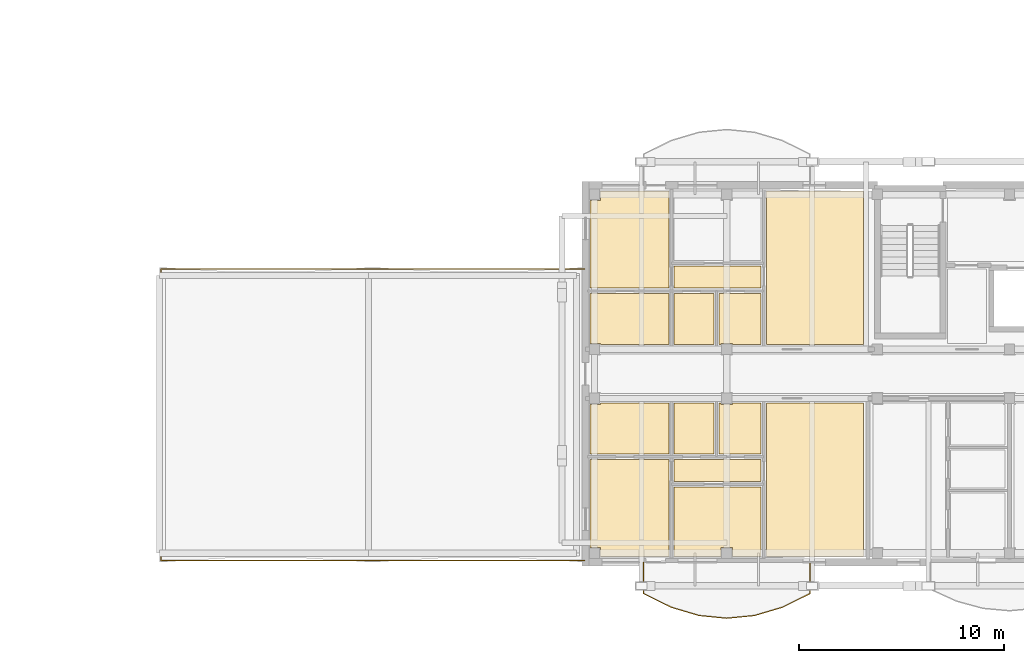
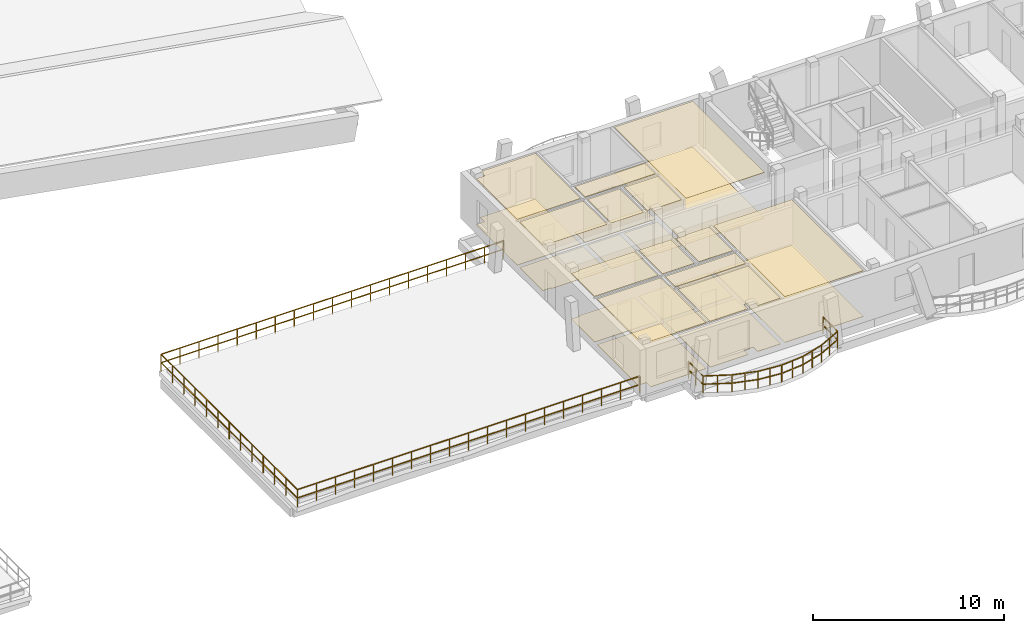
# One storey, part 92 of 109: 26 coverings, 2 railings.
"""IFC4 building model written with IfcOpenShell, lengths in metres."""

from ifc_helpers import new_model, si_unit, direction, frame, origin, origin_2d, place, context, subcontext, project, spatial, polyline, rectangle, outline, extrude, material, layer, layer_set, type_object, element, save


model = new_model("IFC4")

# Units and contexts
model_context = context("Model", 3, precision=1e-05, world=origin(), true_north=direction((0.0, 1.0)))
body_context = subcontext(model_context, "Body", "Model", "MODEL_VIEW")
ifc_project = project(units=[si_unit("LENGTHUNIT", "METRE"), si_unit("AREAUNIT", "SQUARE_METRE"), si_unit("VOLUMEUNIT", "CUBIC_METRE"), si_unit("PLANEANGLEUNIT", "RADIAN"), si_unit("MASSUNIT", "GRAM", prefix="KILO")], contexts=[model_context])

# Site, building, storey
site_placement = place(None, origin())
site = spatial("IfcSite", under=ifc_project, at=site_placement, CompositionType="ELEMENT")
building_placement = place(site_placement, origin())
building = spatial("IfcBuilding", under=site, at=building_placement, Name="Zavelmont Quarter", CompositionType="ELEMENT")
storey_placement = place(building_placement, frame((0.0, 0.0, 8.0)))
storey = spatial("IfcBuildingStorey", under=building, at=storey_placement, Name="L02", CompositionType="ELEMENT", Elevation=8.0)

# Coverings
ifc_material_1 = material(Name="Perforated acoustic gypsum board")
ifc_layer_1 = layer(ifc_material_1, 0.02490234375)
ifc_layer_set_1 = layer_set([ifc_layer_1], Name="Perforated acoustic gypsum board")
covering_type_1 = type_object("IfcCoveringType", Name="CV-CL01", PredefinedType="CEILING", material=ifc_layer_set_1)
covering_1_placement = place(storey_placement, frame((0.0, 0.0, 2.9150390625)))
element("IfcCovering", 1, at=covering_1_placement, inside=storey, type_object=covering_type_1, Name="L02 Double Bedroom acoustic ceiling", PredefinedType="CEILING", context=body_context, shape_type="SweptSolid", body=[
    extrude(outline(polyline([(113.030029296875, 5.02001953125), (116.8701171875, 5.02001953125), (116.8701171875, 0.280029296875), (113.530029296875, 0.280029296875), (113.530029296875, 0.72998046875), (113.030029296875, 0.72998046875), (113.030029296875, 5.02001953125)])), origin(), (0.0, 0.0, 1.0), 0.02490234375),
])
covering_2_placement = place(storey_placement, frame((0.0, 0.0, 2.9150390625)))
element("IfcCovering", 2, at=covering_2_placement, inside=storey, type_object=covering_type_1, Name="L02 Kitchen acoustic ceiling", PredefinedType="CEILING", context=body_context, shape_type="SweptSolid", body=[
    extrude(outline(polyline([(119.330078125, 7.77001953125), (119.409912109375, 7.77001953125), (119.409912109375, 7.7099609375), (119.989990234375, 7.7099609375), (119.989990234375, 7.77001953125), (121.3701171875, 7.77001953125), (121.3701171875, 5.280029296875), (119.330078125, 5.280029296875), (119.330078125, 7.77001953125)])), origin(), (0.0, 0.0, 1.0), 0.02490234375),
])
covering_3_placement = place(storey_placement, frame((0.0, 0.0, 2.9150390625)))
element("IfcCovering", 3, at=covering_3_placement, inside=storey, type_object=covering_type_1, Name="L02 Master Bedroom acoustic ceiling", PredefinedType="CEILING", context=body_context, shape_type="SweptSolid", body=[
    extrude(outline(polyline([(117.1298828125, 3.669921875), (121.3701171875, 3.669921875), (121.3701171875, 0.280029296875), (119.989990234375, 0.280029296875), (119.989990234375, 0.72998046875), (119.409912109375, 0.72998046875), (119.409912109375, 0.280029296875), (117.1298828125, 0.280029296875), (117.1298828125, 3.669921875)])), origin(), (0.0, 0.0, 1.0), 0.02490234375),
])
covering_4_placement = place(storey_placement, frame((0.0, 0.0, 2.9150390625)))
element("IfcCovering", 4, at=covering_4_placement, inside=storey, type_object=covering_type_1, Name="L02 Living Dining acoustic ceiling", PredefinedType="CEILING", context=body_context, shape_type="SweptSolid", body=[
    extrude(outline(polyline([(121.6298828125, 7.77001953125), (126.3701171875, 7.77001953125), (126.3701171875, 0.280029296875), (121.6298828125, 0.280029296875), (121.6298828125, 7.77001953125)])), origin(), (0.0, 0.0, 1.0), 0.02490234375),
])
covering_5_placement = place(storey_placement, frame((0.0, 0.0, 2.9150390625)))
element("IfcCovering", 5, at=covering_5_placement, inside=storey, type_object=covering_type_1, Name="L02 Double Bedroom acoustic ceiling", PredefinedType="CEILING", context=body_context, shape_type="SweptSolid", body=[
    extrude(outline(polyline([(113.030029296875, 17.669921875), (113.530029296875, 17.669921875), (113.530029296875, 18.1201171875), (116.8701171875, 18.1201171875), (116.8701171875, 13.3798828125), (113.030029296875, 13.3798828125), (113.030029296875, 17.669921875)])), origin(), (0.0, 0.0, 1.0), 0.02490234375),
])
covering_6_placement = place(storey_placement, frame((0.0, 0.0, 2.9150390625)))
element("IfcCovering", 6, at=covering_6_placement, inside=storey, type_object=covering_type_1, Name="L02 Kitchen acoustic ceiling", PredefinedType="CEILING", context=body_context, shape_type="SweptSolid", body=[
    extrude(outline(polyline([(119.330078125, 13.1201171875), (121.3701171875, 13.1201171875), (121.3701171875, 10.6298828125), (119.989990234375, 10.6298828125), (119.989990234375, 10.68994140625), (119.409912109375, 10.68994140625), (119.409912109375, 10.6298828125), (119.330078125, 10.6298828125), (119.330078125, 13.1201171875)])), origin(), (0.0, 0.0, 1.0), 0.02490234375),
])
covering_7_placement = place(storey_placement, frame((0.0, 0.0, 2.9150390625)))
element("IfcCovering", 7, at=covering_7_placement, inside=storey, type_object=covering_type_1, Name="L02 Living Dining acoustic ceiling", PredefinedType="CEILING", context=body_context, shape_type="SweptSolid", body=[
    extrude(outline(polyline([(121.6298828125, 18.1201171875), (126.3701171875, 18.1201171875), (126.3701171875, 10.6298828125), (121.6298828125, 10.6298828125), (121.6298828125, 18.1201171875)])), origin(), (0.0, 0.0, 1.0), 0.02490234375),
])
ifc_material_2 = material(Name="Slatted European ash acoustic baffle ceiling")
ifc_layer_2 = layer(ifc_material_2, 0.0400390625)
ifc_layer_set_2 = layer_set([ifc_layer_2], Name="Slatted European ash acoustic baffle ceiling")
covering_type_2 = type_object("IfcCoveringType", Name="CV-CL02", PredefinedType="CEILING", material=ifc_layer_set_2)
covering_8_placement = place(storey_placement, frame((0.0, 0.0, 2.89990234375)))
element("IfcCovering", 8, at=covering_8_placement, inside=storey, type_object=covering_type_2, Name="L02 Apartment Hall acoustic ceiling", PredefinedType="CEILING", context=body_context, shape_type="SweptSolid", body=[
    extrude(outline(polyline([(117.1298828125, 5.02001953125), (121.3701171875, 5.02001953125), (121.3701171875, 3.929931640625), (117.1298828125, 3.929931640625), (117.1298828125, 5.02001953125)])), origin(), (0.0, 0.0, 1.0), 0.0400390625),
])
covering_9_placement = place(storey_placement, frame((0.0, 0.0, 2.89990234375)))
element("IfcCovering", 9, at=covering_9_placement, inside=storey, type_object=covering_type_2, Name="L02 Apartment Hall acoustic ceiling", PredefinedType="CEILING", context=body_context, shape_type="SweptSolid", body=[
    extrude(outline(polyline([(117.1298828125, 14.469970703125), (121.3701171875, 14.469970703125), (121.3701171875, 13.3798828125), (117.1298828125, 13.3798828125), (117.1298828125, 14.469970703125)])), origin(), (0.0, 0.0, 1.0), 0.0400390625),
])
ifc_material_3 = material(Name="Moisture-resistant painted gypsum ceiling")
ifc_layer_3 = layer(ifc_material_3, 0.02001953125)
ifc_layer_set_3 = layer_set([ifc_layer_3], Name="Moisture-resistant painted gypsum ceiling")
covering_type_3 = type_object("IfcCoveringType", Name="CV-CL04", PredefinedType="CEILING", material=ifc_layer_set_3)
covering_10_placement = place(storey_placement, frame((0.0, 0.0, 2.919921875)))
element("IfcCovering", 10, at=covering_10_placement, inside=storey, type_object=covering_type_3, Name="L02 Bathroom acoustic ceiling", PredefinedType="CEILING", context=body_context, shape_type="SweptSolid", body=[
    extrude(outline(polyline([(113.030029296875, 7.7099609375), (113.530029296875, 7.7099609375), (113.530029296875, 7.77001953125), (116.8701171875, 7.77001953125), (116.8701171875, 5.280029296875), (113.030029296875, 5.280029296875), (113.030029296875, 7.7099609375)])), origin(), (0.0, 0.0, 1.0), 0.02001953125),
])
covering_11_placement = place(storey_placement, frame((0.0, 0.0, 2.919921875)))
element("IfcCovering", 11, at=covering_11_placement, inside=storey, type_object=covering_type_3, Name="L02 Bathroom acoustic ceiling", PredefinedType="CEILING", context=body_context, shape_type="SweptSolid", body=[
    extrude(outline(polyline([(117.1298828125, 7.77001953125), (119.070068359375, 7.77001953125), (119.070068359375, 5.280029296875), (117.1298828125, 5.280029296875), (117.1298828125, 7.77001953125)])), origin(), (0.0, 0.0, 1.0), 0.02001953125),
])
covering_12_placement = place(storey_placement, frame((0.0, 0.0, 2.919921875)))
element("IfcCovering", 12, at=covering_12_placement, inside=storey, type_object=covering_type_3, Name="L02 Bathroom acoustic ceiling", PredefinedType="CEILING", context=body_context, shape_type="SweptSolid", body=[
    extrude(outline(polyline([(113.030029296875, 13.1201171875), (116.8701171875, 13.1201171875), (116.8701171875, 10.6298828125), (113.530029296875, 10.6298828125), (113.530029296875, 10.68994140625), (113.030029296875, 10.68994140625), (113.030029296875, 13.1201171875)])), origin(), (0.0, 0.0, 1.0), 0.02001953125),
])
covering_13_placement = place(storey_placement, frame((0.0, 0.0, 2.919921875)))
element("IfcCovering", 13, at=covering_13_placement, inside=storey, type_object=covering_type_3, Name="L02 Bathroom acoustic ceiling", PredefinedType="CEILING", context=body_context, shape_type="SweptSolid", body=[
    extrude(outline(polyline([(117.1298828125, 13.1201171875), (119.070068359375, 13.1201171875), (119.070068359375, 10.6298828125), (117.1298828125, 10.6298828125), (117.1298828125, 13.1201171875)])), origin(), (0.0, 0.0, 1.0), 0.02001953125),
])
ifc_material_4 = material(Name="Engineered European oak parquet")
ifc_layer_4 = layer(ifc_material_4, 0.02197265625)
ifc_layer_set_4 = layer_set([ifc_layer_4], Name="Engineered European oak parquet")
covering_type_4 = type_object("IfcCoveringType", Name="CV-FL01", PredefinedType="FLOORING", material=ifc_layer_set_4)
covering_14_placement = place(storey_placement, origin())
element("IfcCovering", 14, at=covering_14_placement, inside=storey, type_object=covering_type_4, Name="L02 Double Bedroom floor finish", PredefinedType="FLOORING", context=body_context, shape_type="SweptSolid", body=[
    extrude(outline(polyline([(113.030029296875, 5.02001953125), (116.8701171875, 5.02001953125), (116.8701171875, 0.280029296875), (113.530029296875, 0.280029296875), (113.530029296875, 0.72998046875), (113.030029296875, 0.72998046875), (113.030029296875, 5.02001953125)])), origin(), (0.0, 0.0, 1.0), 0.02197265625),
])
covering_15_placement = place(storey_placement, origin())
element("IfcCovering", 15, at=covering_15_placement, inside=storey, type_object=covering_type_4, Name="L02 Kitchen floor finish", PredefinedType="FLOORING", context=body_context, shape_type="SweptSolid", body=[
    extrude(outline(polyline([(119.330078125, 7.77001953125), (119.409912109375, 7.77001953125), (119.409912109375, 7.7099609375), (119.989990234375, 7.7099609375), (119.989990234375, 7.77001953125), (121.3701171875, 7.77001953125), (121.3701171875, 5.280029296875), (119.330078125, 5.280029296875), (119.330078125, 7.77001953125)])), origin(), (0.0, 0.0, 1.0), 0.02197265625),
])
covering_16_placement = place(storey_placement, origin())
element("IfcCovering", 16, at=covering_16_placement, inside=storey, type_object=covering_type_4, Name="L02 Master Bedroom floor finish", PredefinedType="FLOORING", context=body_context, shape_type="SweptSolid", body=[
    extrude(outline(polyline([(117.1298828125, 3.669921875), (121.3701171875, 3.669921875), (121.3701171875, 0.280029296875), (119.989990234375, 0.280029296875), (119.989990234375, 0.72998046875), (119.409912109375, 0.72998046875), (119.409912109375, 0.280029296875), (117.1298828125, 0.280029296875), (117.1298828125, 3.669921875)])), origin(), (0.0, 0.0, 1.0), 0.02197265625),
])
covering_17_placement = place(storey_placement, origin())
element("IfcCovering", 17, at=covering_17_placement, inside=storey, type_object=covering_type_4, Name="L02 Living Dining floor finish", PredefinedType="FLOORING", context=body_context, shape_type="SweptSolid", body=[
    extrude(outline(polyline([(121.6298828125, 7.77001953125), (126.3701171875, 7.77001953125), (126.3701171875, 0.280029296875), (121.6298828125, 0.280029296875), (121.6298828125, 7.77001953125)])), origin(), (0.0, 0.0, 1.0), 0.02197265625),
])
covering_18_placement = place(storey_placement, origin())
element("IfcCovering", 18, at=covering_18_placement, inside=storey, type_object=covering_type_4, Name="L02 Double Bedroom floor finish", PredefinedType="FLOORING", context=body_context, shape_type="SweptSolid", body=[
    extrude(outline(polyline([(113.030029296875, 17.669921875), (113.530029296875, 17.669921875), (113.530029296875, 18.1201171875), (116.8701171875, 18.1201171875), (116.8701171875, 13.3798828125), (113.030029296875, 13.3798828125), (113.030029296875, 17.669921875)])), origin(), (0.0, 0.0, 1.0), 0.02197265625),
])
covering_19_placement = place(storey_placement, origin())
element("IfcCovering", 19, at=covering_19_placement, inside=storey, type_object=covering_type_4, Name="L02 Kitchen floor finish", PredefinedType="FLOORING", context=body_context, shape_type="SweptSolid", body=[
    extrude(outline(polyline([(119.330078125, 13.1201171875), (121.3701171875, 13.1201171875), (121.3701171875, 10.6298828125), (119.989990234375, 10.6298828125), (119.989990234375, 10.68994140625), (119.409912109375, 10.68994140625), (119.409912109375, 10.6298828125), (119.330078125, 10.6298828125), (119.330078125, 13.1201171875)])), origin(), (0.0, 0.0, 1.0), 0.02197265625),
])
covering_20_placement = place(storey_placement, origin())
element("IfcCovering", 20, at=covering_20_placement, inside=storey, type_object=covering_type_4, Name="L02 Living Dining floor finish", PredefinedType="FLOORING", context=body_context, shape_type="SweptSolid", body=[
    extrude(outline(polyline([(121.6298828125, 18.1201171875), (126.3701171875, 18.1201171875), (126.3701171875, 10.6298828125), (121.6298828125, 10.6298828125), (121.6298828125, 18.1201171875)])), origin(), (0.0, 0.0, 1.0), 0.02197265625),
])
ifc_material_5 = material(Name="Honed Belgian bluestone tile", Category="masonry")
ifc_layer_5 = layer(ifc_material_5, 0.030029296875)
ifc_layer_set_5 = layer_set([ifc_layer_5], Name="Honed Belgian bluestone tile")
covering_type_5 = type_object("IfcCoveringType", Name="CV-FL02", PredefinedType="FLOORING", material=ifc_layer_set_5)
covering_21_placement = place(storey_placement, origin())
element("IfcCovering", 21, at=covering_21_placement, inside=storey, type_object=covering_type_5, Name="L02 Apartment Hall floor finish", PredefinedType="FLOORING", context=body_context, shape_type="SweptSolid", body=[
    extrude(outline(polyline([(117.1298828125, 5.02001953125), (121.3701171875, 5.02001953125), (121.3701171875, 3.929931640625), (117.1298828125, 3.929931640625), (117.1298828125, 5.02001953125)])), origin(), (0.0, 0.0, 1.0), 0.030029296875),
])
covering_22_placement = place(storey_placement, origin())
element("IfcCovering", 22, at=covering_22_placement, inside=storey, type_object=covering_type_5, Name="L02 Apartment Hall floor finish", PredefinedType="FLOORING", context=body_context, shape_type="SweptSolid", body=[
    extrude(outline(polyline([(117.1298828125, 14.469970703125), (121.3701171875, 14.469970703125), (121.3701171875, 13.3798828125), (117.1298828125, 13.3798828125), (117.1298828125, 14.469970703125)])), origin(), (0.0, 0.0, 1.0), 0.030029296875),
])
ifc_material_6 = material(Name="Slip-resistant porcelain tile")
ifc_layer_6 = layer(ifc_material_6, 0.02587890625)
ifc_layer_set_6 = layer_set([ifc_layer_6], Name="Slip-resistant porcelain tile")
covering_type_6 = type_object("IfcCoveringType", Name="CV-FL04", PredefinedType="FLOORING", material=ifc_layer_set_6)
covering_23_placement = place(storey_placement, origin())
element("IfcCovering", 23, at=covering_23_placement, inside=storey, type_object=covering_type_6, Name="L02 Bathroom floor finish", PredefinedType="FLOORING", context=body_context, shape_type="SweptSolid", body=[
    extrude(outline(polyline([(113.030029296875, 7.7099609375), (113.530029296875, 7.7099609375), (113.530029296875, 7.77001953125), (116.8701171875, 7.77001953125), (116.8701171875, 5.280029296875), (113.030029296875, 5.280029296875), (113.030029296875, 7.7099609375)])), origin(), (0.0, 0.0, 1.0), 0.02587890625),
])
covering_24_placement = place(storey_placement, origin())
element("IfcCovering", 24, at=covering_24_placement, inside=storey, type_object=covering_type_6, Name="L02 Bathroom floor finish", PredefinedType="FLOORING", context=body_context, shape_type="SweptSolid", body=[
    extrude(outline(polyline([(117.1298828125, 7.77001953125), (119.070068359375, 7.77001953125), (119.070068359375, 5.280029296875), (117.1298828125, 5.280029296875), (117.1298828125, 7.77001953125)])), origin(), (0.0, 0.0, 1.0), 0.02587890625),
])
covering_25_placement = place(storey_placement, origin())
element("IfcCovering", 25, at=covering_25_placement, inside=storey, type_object=covering_type_6, Name="L02 Bathroom floor finish", PredefinedType="FLOORING", context=body_context, shape_type="SweptSolid", body=[
    extrude(outline(polyline([(113.030029296875, 13.1201171875), (116.8701171875, 13.1201171875), (116.8701171875, 10.6298828125), (113.530029296875, 10.6298828125), (113.530029296875, 10.68994140625), (113.030029296875, 10.68994140625), (113.030029296875, 13.1201171875)])), origin(), (0.0, 0.0, 1.0), 0.02587890625),
])
covering_26_placement = place(storey_placement, origin())
element("IfcCovering", 26, at=covering_26_placement, inside=storey, type_object=covering_type_6, Name="L02 Bathroom floor finish", PredefinedType="FLOORING", context=body_context, shape_type="SweptSolid", body=[
    extrude(outline(polyline([(117.1298828125, 13.1201171875), (119.070068359375, 13.1201171875), (119.070068359375, 10.6298828125), (117.1298828125, 10.6298828125), (117.1298828125, 13.1201171875)])), origin(), (0.0, 0.0, 1.0), 0.02587890625),
])

# Railings
ifc_material_7 = material(Name="Powder-coated steel and tempered double safety glass", Category="steel")
railing_type_1 = type_object("IfcRailingType", Name="RL-BAL1", PredefinedType="BALUSTRADE", material=ifc_material_7)
railing_1_placement = place(storey_placement, frame((115.637939453125, -0.02001953125, 0.0)))
element("IfcRailing", 27, at=railing_1_placement, inside=storey, type_object=railing_type_1, Name="L02 Block D curved balcony guard RL-BAL1", PredefinedType="BALUSTRADE", context=body_context, shape_type="SweptSolid", body=[
    extrude(rectangle(XDim=0.048095703125, YDim=0.048095703125, at=origin_2d()), frame((0.0, 0.0, 1.076171875), z_axis=(0.0, -1.0, 0.0), x_axis=(1.0, 0.0, 0.0)), (0.0, 0.0, 1.0), 1.51220703125),
    extrude(rectangle(XDim=0.048095703125, YDim=0.048095703125, at=origin_2d()), frame((0.0, 0.0, 0.550048828125), z_axis=(0.0, -1.0, 0.0), x_axis=(1.0, 0.0, 0.0)), (0.0, 0.0, 1.0), 1.51220703125),
    extrude(rectangle(XDim=0.048095703125, YDim=0.048095703125, at=origin_2d()), frame((0.0, -1.51220703125, 1.076171875), z_axis=(0.896615076661, -0.442810799671, 0.0), x_axis=(0.442810799671, 0.896615076661, 0.0)), (0.0, 0.0, 1.0), 1.510009765625),
    extrude(rectangle(XDim=0.048095703125, YDim=0.048095703125, at=origin_2d()), frame((0.0, -1.51220703125, 0.550048828125), z_axis=(0.896615076661, -0.442810799671, 0.0), x_axis=(0.442810799671, 0.896615076661, 0.0)), (0.0, 0.0, 1.0), 1.510009765625),
    extrude(rectangle(XDim=0.048095703125, YDim=0.048095703125, at=origin_2d()), frame((1.35400390625, -2.180908203125, 1.076171875), z_axis=(0.958763225335, -0.284206048044, 0.0), x_axis=(0.284206048044, 0.958763225335, 0.0)), (0.0, 0.0, 1.0), 1.412353515625),
    extrude(rectangle(XDim=0.048095703125, YDim=0.048095703125, at=origin_2d()), frame((1.35400390625, -2.180908203125, 0.550048828125), z_axis=(0.958763225335, -0.284206048044, 0.0), x_axis=(0.284206048044, 0.958763225335, 0.0)), (0.0, 0.0, 1.0), 1.412353515625),
    extrude(rectangle(XDim=0.048095703125, YDim=0.048095703125, at=origin_2d()), frame((2.7080078125, -2.582275390625, 1.076171875), z_axis=(0.995153754748, -0.098331095853, 0.0), x_axis=(0.098331095853, 0.995153754748, 0.0)), (0.0, 0.0, 1.0), 1.360595703125),
    extrude(rectangle(XDim=0.048095703125, YDim=0.048095703125, at=origin_2d()), frame((2.7080078125, -2.582275390625, 0.550048828125), z_axis=(0.995153754748, -0.098331095853, 0.0), x_axis=(0.098331095853, 0.995153754748, 0.0)), (0.0, 0.0, 1.0), 1.360595703125),
    extrude(rectangle(XDim=0.048095703125, YDim=0.048095703125, at=origin_2d()), frame((4.06201171875, -2.716064453125, 1.076171875), z_axis=(0.995153754748, 0.098331095853, 0.0), x_axis=(-0.098331095853, 0.995153754748, 0.0)), (0.0, 0.0, 1.0), 1.360595703125),
    extrude(rectangle(XDim=0.048095703125, YDim=0.048095703125, at=origin_2d()), frame((4.06201171875, -2.716064453125, 0.550048828125), z_axis=(0.995153754748, 0.098331095853, 0.0), x_axis=(-0.098331095853, 0.995153754748, 0.0)), (0.0, 0.0, 1.0), 1.360595703125),
    extrude(rectangle(XDim=0.048095703125, YDim=0.048095703125, at=origin_2d()), frame((5.416015625, -2.582275390625, 1.076171875), z_axis=(0.958763225335, 0.284206048044, 0.0), x_axis=(-0.284206048044, 0.958763225335, 0.0)), (0.0, 0.0, 1.0), 1.412353515625),
    extrude(rectangle(XDim=0.048095703125, YDim=0.048095703125, at=origin_2d()), frame((5.416015625, -2.582275390625, 0.550048828125), z_axis=(0.958763225335, 0.284206048044, 0.0), x_axis=(-0.284206048044, 0.958763225335, 0.0)), (0.0, 0.0, 1.0), 1.412353515625),
    extrude(rectangle(XDim=0.048095703125, YDim=0.048095703125, at=origin_2d()), frame((6.77001953125, -2.180908203125, 1.076171875), z_axis=(0.896615076661, 0.442810799671, 0.0), x_axis=(-0.442810799671, 0.896615076661, 0.0)), (0.0, 0.0, 1.0), 1.510009765625),
    extrude(rectangle(XDim=0.048095703125, YDim=0.048095703125, at=origin_2d()), frame((6.77001953125, -2.180908203125, 0.550048828125), z_axis=(0.896615076661, 0.442810799671, 0.0), x_axis=(-0.442810799671, 0.896615076661, 0.0)), (0.0, 0.0, 1.0), 1.510009765625),
    extrude(rectangle(XDim=0.048095703125, YDim=0.048095703125, at=origin_2d()), frame((8.1240234375, -1.51220703125, 1.076171875), z_axis=(0.0, 1.0, 0.0), x_axis=(-1.0, 0.0, 0.0)), (0.0, 0.0, 1.0), 1.51220703125),
    extrude(rectangle(XDim=0.048095703125, YDim=0.048095703125, at=origin_2d()), frame((8.1240234375, -1.51220703125, 0.550048828125), z_axis=(0.0, 1.0, 0.0), x_axis=(-1.0, 0.0, 0.0)), (0.0, 0.0, 1.0), 1.51220703125),
    extrude(rectangle(XDim=0.0419921875, YDim=0.0419921875, at=origin_2d()), origin(), (0.0, 0.0, 1.0), 1.052001953125),
    extrude(rectangle(XDim=0.0419921875, YDim=0.0419921875, at=origin_2d()), frame((0.0, -0.756103515625, 0.0)), (0.0, 0.0, 1.0), 1.052001953125),
    extrude(rectangle(XDim=0.0419921875, YDim=0.0419921875, at=origin_2d()), frame((0.0, -1.51220703125, 0.0)), (0.0, 0.0, 1.0), 1.052001953125),
    extrude(rectangle(XDim=0.0419921875, YDim=0.0419921875, at=origin_2d()), frame((0.677001953125, -1.8466796875, 0.0)), (0.0, 0.0, 1.0), 1.052001953125),
    extrude(rectangle(XDim=0.0419921875, YDim=0.0419921875, at=origin_2d()), frame((1.35400390625, -2.180908203125, 0.0)), (0.0, 0.0, 1.0), 1.052001953125),
    extrude(rectangle(XDim=0.0419921875, YDim=0.0419921875, at=origin_2d()), frame((2.031005859375, -2.381591796875, 0.0)), (0.0, 0.0, 1.0), 1.052001953125),
    extrude(rectangle(XDim=0.0419921875, YDim=0.0419921875, at=origin_2d()), frame((2.7080078125, -2.582275390625, 0.0)), (0.0, 0.0, 1.0), 1.052001953125),
    extrude(rectangle(XDim=0.0419921875, YDim=0.0419921875, at=origin_2d()), frame((3.385009765625, -2.649169921875, 0.0)), (0.0, 0.0, 1.0), 1.052001953125),
    extrude(rectangle(XDim=0.0419921875, YDim=0.0419921875, at=origin_2d()), frame((4.06201171875, -2.716064453125, 0.0)), (0.0, 0.0, 1.0), 1.052001953125),
    extrude(rectangle(XDim=0.0419921875, YDim=0.0419921875, at=origin_2d()), frame((4.739013671875, -2.649169921875, 0.0)), (0.0, 0.0, 1.0), 1.052001953125),
    extrude(rectangle(XDim=0.0419921875, YDim=0.0419921875, at=origin_2d()), frame((5.416015625, -2.582275390625, 0.0)), (0.0, 0.0, 1.0), 1.052001953125),
    extrude(rectangle(XDim=0.0419921875, YDim=0.0419921875, at=origin_2d()), frame((6.093017578125, -2.381591796875, 0.0)), (0.0, 0.0, 1.0), 1.052001953125),
    extrude(rectangle(XDim=0.0419921875, YDim=0.0419921875, at=origin_2d()), frame((6.77001953125, -2.180908203125, 0.0)), (0.0, 0.0, 1.0), 1.052001953125),
    extrude(rectangle(XDim=0.0419921875, YDim=0.0419921875, at=origin_2d()), frame((7.447021484375, -1.8466796875, 0.0)), (0.0, 0.0, 1.0), 1.052001953125),
    extrude(rectangle(XDim=0.0419921875, YDim=0.0419921875, at=origin_2d()), frame((8.1240234375, -1.51220703125, 0.0)), (0.0, 0.0, 1.0), 1.052001953125),
    extrude(rectangle(XDim=0.0419921875, YDim=0.0419921875, at=origin_2d()), frame((8.1240234375, -0.756103515625, 0.0)), (0.0, 0.0, 1.0), 1.052001953125),
    extrude(rectangle(XDim=0.0419921875, YDim=0.0419921875, at=origin_2d()), frame((8.1240234375, 0.0, 0.0)), (0.0, 0.0, 1.0), 1.052001953125),
])
railing_type_2 = type_object("IfcRailingType", Name="RL-TER1", PredefinedType="BALUSTRADE", material=ifc_material_7)
railing_2_placement = place(storey_placement, frame((112.75, 0.080078125, 0.0)))
element("IfcRailing", 28, at=railing_2_placement, inside=storey, type_object=railing_type_2, Name="L02 SE Street Arcade roof garden guard RL-TER1", PredefinedType="BALUSTRADE", context=body_context, shape_type="SweptSolid", body=[
    extrude(rectangle(XDim=0.048095703125, YDim=0.048095703125, at=origin_2d()), frame((0.0, 0.0, 1.09619140625), z_axis=(-1.0, 0.0, 0.0), x_axis=(0.0, -1.0, 0.0)), (0.0, 0.0, 1.0), 20.669921875),
    extrude(rectangle(XDim=0.048095703125, YDim=0.048095703125, at=origin_2d()), frame((0.0, 0.0, 0.56005859375), z_axis=(-1.0, 0.0, 0.0), x_axis=(0.0, -1.0, 0.0)), (0.0, 0.0, 1.0), 20.669921875),
    extrude(rectangle(XDim=0.048095703125, YDim=0.048095703125, at=origin_2d()), frame((-20.669921875, 0.0, 1.09619140625), z_axis=(0.0, 1.0, 0.0), x_axis=(-1.0, 0.0, 0.0)), (0.0, 0.0, 1.0), 14.239990234375),
    extrude(rectangle(XDim=0.048095703125, YDim=0.048095703125, at=origin_2d()), frame((-20.669921875, 0.0, 0.56005859375), z_axis=(0.0, 1.0, 0.0), x_axis=(-1.0, 0.0, 0.0)), (0.0, 0.0, 1.0), 14.239990234375),
    extrude(rectangle(XDim=0.048095703125, YDim=0.048095703125, at=origin_2d()), frame((-20.669921875, 14.239990234375, 1.09619140625), z_axis=(1.0, 0.0, 0.0), x_axis=(0.0, 1.0, 0.0)), (0.0, 0.0, 1.0), 20.669921875),
    extrude(rectangle(XDim=0.048095703125, YDim=0.048095703125, at=origin_2d()), frame((-20.669921875, 14.239990234375, 0.56005859375), z_axis=(1.0, 0.0, 0.0), x_axis=(0.0, 1.0, 0.0)), (0.0, 0.0, 1.0), 20.669921875),
    extrude(rectangle(XDim=0.0419921875, YDim=0.0419921875, at=origin_2d()), origin(), (0.0, 0.0, 1.0), 1.072021484375),
    extrude(rectangle(XDim=0.0419921875, YDim=0.0419921875, at=origin_2d()), frame((-1.1484375, 0.0, 0.0)), (0.0, 0.0, 1.0), 1.072021484375),
    extrude(rectangle(XDim=0.0419921875, YDim=0.0419921875, at=origin_2d()), frame((-2.296630859375, 0.0, 0.0)), (0.0, 0.0, 1.0), 1.072021484375),
    extrude(rectangle(XDim=0.0419921875, YDim=0.0419921875, at=origin_2d()), frame((-3.445068359375, 0.0, 0.0)), (0.0, 0.0, 1.0), 1.072021484375),
    extrude(rectangle(XDim=0.0419921875, YDim=0.0419921875, at=origin_2d()), frame((-4.59326171875, 0.0, 0.0)), (0.0, 0.0, 1.0), 1.072021484375),
    extrude(rectangle(XDim=0.0419921875, YDim=0.0419921875, at=origin_2d()), frame((-5.74169921875, 0.0, 0.0)), (0.0, 0.0, 1.0), 1.072021484375),
    extrude(rectangle(XDim=0.0419921875, YDim=0.0419921875, at=origin_2d()), frame((-6.889892578125, 0.0, 0.0)), (0.0, 0.0, 1.0), 1.072021484375),
    extrude(rectangle(XDim=0.0419921875, YDim=0.0419921875, at=origin_2d()), frame((-8.038330078125, 0.0, 0.0)), (0.0, 0.0, 1.0), 1.072021484375),
    extrude(rectangle(XDim=0.0419921875, YDim=0.0419921875, at=origin_2d()), frame((-9.1865234375, 0.0, 0.0)), (0.0, 0.0, 1.0), 1.072021484375),
    extrude(rectangle(XDim=0.0419921875, YDim=0.0419921875, at=origin_2d()), frame((-10.3349609375, 0.0, 0.0)), (0.0, 0.0, 1.0), 1.072021484375),
    extrude(rectangle(XDim=0.0419921875, YDim=0.0419921875, at=origin_2d()), frame((-11.4833984375, 0.0, 0.0)), (0.0, 0.0, 1.0), 1.072021484375),
    extrude(rectangle(XDim=0.0419921875, YDim=0.0419921875, at=origin_2d()), frame((-12.631591796875, 0.0, 0.0)), (0.0, 0.0, 1.0), 1.072021484375),
    extrude(rectangle(XDim=0.0419921875, YDim=0.0419921875, at=origin_2d()), frame((-13.780029296875, 0.0, 0.0)), (0.0, 0.0, 1.0), 1.072021484375),
    extrude(rectangle(XDim=0.0419921875, YDim=0.0419921875, at=origin_2d()), frame((-14.92822265625, 0.0, 0.0)), (0.0, 0.0, 1.0), 1.072021484375),
    extrude(rectangle(XDim=0.0419921875, YDim=0.0419921875, at=origin_2d()), frame((-16.07666015625, 0.0, 0.0)), (0.0, 0.0, 1.0), 1.072021484375),
    extrude(rectangle(XDim=0.0419921875, YDim=0.0419921875, at=origin_2d()), frame((-17.224853515625, 0.0, 0.0)), (0.0, 0.0, 1.0), 1.072021484375),
    extrude(rectangle(XDim=0.0419921875, YDim=0.0419921875, at=origin_2d()), frame((-18.373291015625, 0.0, 0.0)), (0.0, 0.0, 1.0), 1.072021484375),
    extrude(rectangle(XDim=0.0419921875, YDim=0.0419921875, at=origin_2d()), frame((-19.521484375, 0.0, 0.0)), (0.0, 0.0, 1.0), 1.072021484375),
    extrude(rectangle(XDim=0.0419921875, YDim=0.0419921875, at=origin_2d()), frame((-20.669921875, 0.0, 0.0)), (0.0, 0.0, 1.0), 1.072021484375),
    extrude(rectangle(XDim=0.0419921875, YDim=0.0419921875, at=origin_2d()), frame((-20.669921875, 1.186767578125, 0.0)), (0.0, 0.0, 1.0), 1.072021484375),
    extrude(rectangle(XDim=0.0419921875, YDim=0.0419921875, at=origin_2d()), frame((-20.669921875, 2.373291015625, 0.0)), (0.0, 0.0, 1.0), 1.072021484375),
    extrude(rectangle(XDim=0.0419921875, YDim=0.0419921875, at=origin_2d()), frame((-20.669921875, 3.56005859375, 0.0)), (0.0, 0.0, 1.0), 1.072021484375),
    extrude(rectangle(XDim=0.0419921875, YDim=0.0419921875, at=origin_2d()), frame((-20.669921875, 4.74658203125, 0.0)), (0.0, 0.0, 1.0), 1.072021484375),
    extrude(rectangle(XDim=0.0419921875, YDim=0.0419921875, at=origin_2d()), frame((-20.669921875, 5.933349609375, 0.0)), (0.0, 0.0, 1.0), 1.072021484375),
    extrude(rectangle(XDim=0.0419921875, YDim=0.0419921875, at=origin_2d()), frame((-20.669921875, 7.1201171875, 0.0)), (0.0, 0.0, 1.0), 1.072021484375),
    extrude(rectangle(XDim=0.0419921875, YDim=0.0419921875, at=origin_2d()), frame((-20.669921875, 8.306640625, 0.0)), (0.0, 0.0, 1.0), 1.072021484375),
    extrude(rectangle(XDim=0.0419921875, YDim=0.0419921875, at=origin_2d()), frame((-20.669921875, 9.493408203125, 0.0)), (0.0, 0.0, 1.0), 1.072021484375),
    extrude(rectangle(XDim=0.0419921875, YDim=0.0419921875, at=origin_2d()), frame((-20.669921875, 10.679931640625, 0.0)), (0.0, 0.0, 1.0), 1.072021484375),
    extrude(rectangle(XDim=0.0419921875, YDim=0.0419921875, at=origin_2d()), frame((-20.669921875, 11.86669921875, 0.0)), (0.0, 0.0, 1.0), 1.072021484375),
    extrude(rectangle(XDim=0.0419921875, YDim=0.0419921875, at=origin_2d()), frame((-20.669921875, 13.05322265625, 0.0)), (0.0, 0.0, 1.0), 1.072021484375),
    extrude(rectangle(XDim=0.0419921875, YDim=0.0419921875, at=origin_2d()), frame((-20.669921875, 14.239990234375, 0.0)), (0.0, 0.0, 1.0), 1.072021484375),
    extrude(rectangle(XDim=0.0419921875, YDim=0.0419921875, at=origin_2d()), frame((-19.521484375, 14.239990234375, 0.0)), (0.0, 0.0, 1.0), 1.072021484375),
    extrude(rectangle(XDim=0.0419921875, YDim=0.0419921875, at=origin_2d()), frame((-18.373291015625, 14.239990234375, 0.0)), (0.0, 0.0, 1.0), 1.072021484375),
    extrude(rectangle(XDim=0.0419921875, YDim=0.0419921875, at=origin_2d()), frame((-17.224853515625, 14.239990234375, 0.0)), (0.0, 0.0, 1.0), 1.072021484375),
    extrude(rectangle(XDim=0.0419921875, YDim=0.0419921875, at=origin_2d()), frame((-16.07666015625, 14.239990234375, 0.0)), (0.0, 0.0, 1.0), 1.072021484375),
    extrude(rectangle(XDim=0.0419921875, YDim=0.0419921875, at=origin_2d()), frame((-14.92822265625, 14.239990234375, 0.0)), (0.0, 0.0, 1.0), 1.072021484375),
    extrude(rectangle(XDim=0.0419921875, YDim=0.0419921875, at=origin_2d()), frame((-13.780029296875, 14.239990234375, 0.0)), (0.0, 0.0, 1.0), 1.072021484375),
    extrude(rectangle(XDim=0.0419921875, YDim=0.0419921875, at=origin_2d()), frame((-12.631591796875, 14.239990234375, 0.0)), (0.0, 0.0, 1.0), 1.072021484375),
    extrude(rectangle(XDim=0.0419921875, YDim=0.0419921875, at=origin_2d()), frame((-11.4833984375, 14.239990234375, 0.0)), (0.0, 0.0, 1.0), 1.072021484375),
    extrude(rectangle(XDim=0.0419921875, YDim=0.0419921875, at=origin_2d()), frame((-10.3349609375, 14.239990234375, 0.0)), (0.0, 0.0, 1.0), 1.072021484375),
    extrude(rectangle(XDim=0.0419921875, YDim=0.0419921875, at=origin_2d()), frame((-9.1865234375, 14.239990234375, 0.0)), (0.0, 0.0, 1.0), 1.072021484375),
    extrude(rectangle(XDim=0.0419921875, YDim=0.0419921875, at=origin_2d()), frame((-8.038330078125, 14.239990234375, 0.0)), (0.0, 0.0, 1.0), 1.072021484375),
    extrude(rectangle(XDim=0.0419921875, YDim=0.0419921875, at=origin_2d()), frame((-6.889892578125, 14.239990234375, 0.0)), (0.0, 0.0, 1.0), 1.072021484375),
    extrude(rectangle(XDim=0.0419921875, YDim=0.0419921875, at=origin_2d()), frame((-5.74169921875, 14.239990234375, 0.0)), (0.0, 0.0, 1.0), 1.072021484375),
    extrude(rectangle(XDim=0.0419921875, YDim=0.0419921875, at=origin_2d()), frame((-4.59326171875, 14.239990234375, 0.0)), (0.0, 0.0, 1.0), 1.072021484375),
    extrude(rectangle(XDim=0.0419921875, YDim=0.0419921875, at=origin_2d()), frame((-3.445068359375, 14.239990234375, 0.0)), (0.0, 0.0, 1.0), 1.072021484375),
    extrude(rectangle(XDim=0.0419921875, YDim=0.0419921875, at=origin_2d()), frame((-2.296630859375, 14.239990234375, 0.0)), (0.0, 0.0, 1.0), 1.072021484375),
    extrude(rectangle(XDim=0.0419921875, YDim=0.0419921875, at=origin_2d()), frame((-1.1484375, 14.239990234375, 0.0)), (0.0, 0.0, 1.0), 1.072021484375),
    extrude(rectangle(XDim=0.0419921875, YDim=0.0419921875, at=origin_2d()), frame((0.0, 14.239990234375, 0.0)), (0.0, 0.0, 1.0), 1.072021484375),
])

save(model, "model.ifc")
